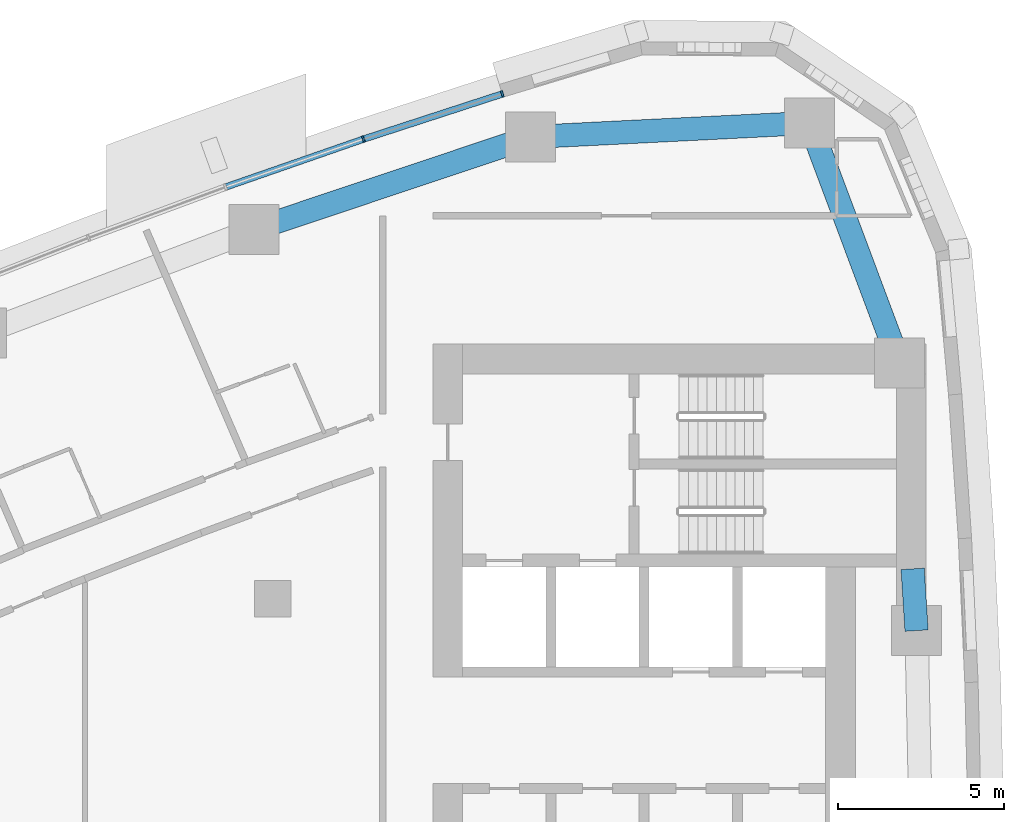
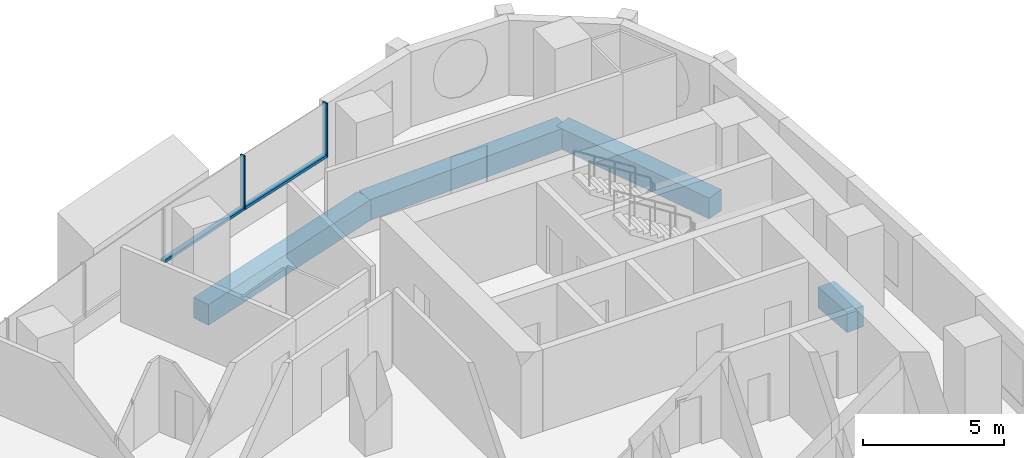
# One storey, part 6 of 17: 4 beams, 4 members, 1 element without a shape of its own.
"""IFC4 building model written with IfcOpenShell, lengths in metres."""

from ifc_helpers import new_model, si_unit, direction, frame, origin, origin_2d, place, context, subcontext, project, spatial, rectangle, extrude, material, layer, layer_set, material_profile, profile_set, type_object, element, aggregate, save


model = new_model("IFC4")

# Units and contexts
model_context = context("Model", 3, precision=1e-05, world=origin(), true_north=direction((0.0, 1.0)))
body_context = subcontext(model_context, "Body", "Model", "MODEL_VIEW")
ifc_project = project(units=[si_unit("LENGTHUNIT", "METRE"), si_unit("AREAUNIT", "SQUARE_METRE"), si_unit("VOLUMEUNIT", "CUBIC_METRE"), si_unit("PLANEANGLEUNIT", "RADIAN"), si_unit("MASSUNIT", "GRAM", prefix="KILO")], contexts=[model_context])

# Site, building, storey
site_placement = place(None, origin())
site = spatial("IfcSite", under=ifc_project, at=site_placement, CompositionType="ELEMENT")
building_placement = place(site_placement, origin())
building = spatial("IfcBuilding", under=site, at=building_placement, Name="Ostrand Prow Hotel Tower", CompositionType="ELEMENT")
storey_placement = place(building_placement, frame((0.0, 0.0, 137.300048828125)))
storey = spatial("IfcBuildingStorey", under=building, at=storey_placement, Name="L33", CompositionType="ELEMENT", Elevation=137.300048828125)

# Beams
ifc_material_1 = material(Name="Concrete C70/85", Category="concrete")
ifc_material_profile_1 = material_profile(ifc_material_1, rectangle(XDim=0.699951171875, YDim=0.89990234375, at=origin_2d()), Name="RC 700x900")
ifc_profile_set_1 = profile_set([ifc_material_profile_1], Name="Concrete C70/85")
beam_type = type_object("IfcBeamType", Name="Edge beam 700x900 C70/85", PredefinedType="SPANDREL", material=ifc_profile_set_1)
beam_1_placement = place(storey_placement, frame((64.32958984375, 8.044677734375, -0.75), z_axis=(-0.063563790544, 0.997977777574, 0.0), x_axis=(-0.997977777574, -0.063563790544, 0.0)))
element("IfcBeam", 1, at=beam_1_placement, inside=storey, type_object=beam_type, Name="Edge beam B4-B5", PredefinedType="SPANDREL", context=body_context, shape_type="SweptSolid", body=[
    extrude(rectangle(XDim=0.699951171875, YDim=0.89990234375, at=origin_2d()), origin(), (0.0, 0.0, 1.0), 1.85888671875),
])
beam_2_placement = place(storey_placement, frame((63.584716796875, 16.699951171875, -0.75), z_axis=(-0.350602524344, 0.93652435629, 0.0), x_axis=(-0.93652435629, -0.350602524344, 0.0)))
element("IfcBeam", 2, at=beam_2_placement, inside=storey, type_object=beam_type, Name="Edge beam B5-NE", PredefinedType="SPANDREL", context=body_context, shape_type="SweptSolid", body=[
    extrude(rectangle(XDim=0.699951171875, YDim=0.89990234375, at=origin_2d()), origin(), (0.0, 0.0, 1.0), 7.037353515625),
])
beam_3_placement = place(storey_placement, frame((61.117431640625, 23.29052734375, -0.75), z_axis=(-0.99873741544, -0.050235196825, 0.0), x_axis=(0.050235196825, -0.99873741544, 0.0)))
element("IfcBeam", 3, at=beam_3_placement, inside=storey, type_object=beam_type, Name="Edge beam NE-N1", PredefinedType="SPANDREL", context=body_context, shape_type="SweptSolid", body=[
    extrude(rectangle(XDim=0.699951171875, YDim=0.89990234375, at=origin_2d()), origin(), (0.0, 0.0, 1.0), 8.38818359375),
])
beam_4_placement = place(storey_placement, frame((52.73974609375, 22.869140625, -0.75), z_axis=(-0.948376051094, -0.317148018616, 0.0), x_axis=(0.317148018616, -0.948376051094, 0.0)))
element("IfcBeam", 4, at=beam_4_placement, inside=storey, type_object=beam_type, Name="Edge beam N1-N2", PredefinedType="SPANDREL", context=body_context, shape_type="SweptSolid", body=[
    extrude(rectangle(XDim=0.699951171875, YDim=0.89990234375, at=origin_2d()), origin(), (0.0, 0.0, 1.0), 8.75341796875),
])

# Curtain wall, members
ifc_material_2 = material(Name="Insulated glass in bronze anodised frame", Category="glass")
ifc_layer = layer(ifc_material_2, 0.199951171875)
ifc_layer_set = layer_set([ifc_layer], Name="Insulated glass in bronze anodised frame")
curtain_wall_type = type_object("IfcCurtainWallType", Name="Strip curtain wall, fritted glass over bronze spandrel", PredefinedType="NOTDEFINED", material=ifc_layer_set)
curtain_wall_placement = place(storey_placement, origin())
curtain_wall = element("IfcCurtainWall", 5, at=curtain_wall_placement, inside=storey, type_object=curtain_wall_type, Name="CW1 run CWN1", PredefinedType="NOTDEFINED")
ifc_material_3 = material(Name="Bronze anodised aluminium", Category="aluminium")
ifc_material_profile_2 = material_profile(ifc_material_3, rectangle(XDim=0.199951171875, YDim=0.06005859375, at=origin_2d()), Name="Mullion 60x200 bronze anodised aluminium")
ifc_profile_set_2 = profile_set([ifc_material_profile_2], Name="Bronze anodised aluminium")
member_type_1 = type_object("IfcMemberType", Name="Mullion 60x200 bronze anodised aluminium", PredefinedType="MULLION", material=ifc_profile_set_2)
member_1_placement = place(storey_placement, frame((51.888916015625, 24.16162109375, 0.89990234375), z_axis=(0.0, 0.0, 1.0), x_axis=(0.309380491373, -0.950938332153, 0.0)))
member_1 = element("IfcMember", 6, at=member_1_placement, type_object=member_type_1, Name="CW1 mullion 1", PredefinedType="MULLION", context=body_context, shape_type="SweptSolid", body=[
    extrude(rectangle(XDim=0.199951171875, YDim=0.06005859375, at=origin_2d()), origin(), (0.0, 0.0, 1.0), 2.35009765625),
])
member_2_placement = place(storey_placement, frame((47.718017578125, 22.8046875, 0.89990234375), z_axis=(0.0, 0.0, 1.0), x_axis=(0.328428177424, -0.944528947293, 0.0)))
member_2 = element("IfcMember", 7, at=member_2_placement, type_object=member_type_1, Name="CW1 mullion 2", PredefinedType="MULLION", context=body_context, shape_type="SweptSolid", body=[
    extrude(rectangle(XDim=0.199951171875, YDim=0.06005859375, at=origin_2d()), origin(), (0.0, 0.0, 1.0), 2.35009765625),
])
ifc_material_4 = material(Name="Bronze anodised aluminium", Category="aluminium")
ifc_material_profile_3 = material_profile(ifc_material_4, rectangle(XDim=0.199951171875, YDim=0.1201171875, at=origin_2d()), Name="Transom 120x200 bronze anodised aluminium")
ifc_profile_set_3 = profile_set([ifc_material_profile_3], Name="Bronze anodised aluminium")
member_type_2 = type_object("IfcMemberType", Name="Transom 120x200 bronze anodised aluminium", PredefinedType="USERDEFINED", material=ifc_profile_set_3)
member_3_placement = place(storey_placement, frame((51.8603515625, 24.15234375, 0.9599609375), z_axis=(-0.950938634958, -0.309379560643, 0.0), x_axis=(0.309379560643, -0.950938634958, 0.0)))
member_3 = element("IfcMember", 8, at=member_3_placement, type_object=member_type_2, Name="CW1 transom 1.1", ObjectType="TRANSOM", PredefinedType="USERDEFINED", context=body_context, shape_type="SweptSolid", body=[
    extrude(rectangle(XDim=0.199951171875, YDim=0.1201171875, at=origin_2d()), origin(), (0.0, 0.0, 1.0), 4.325927734375),
])
member_4_placement = place(storey_placement, frame((47.689697265625, 22.794921875, 0.9599609375), z_axis=(-0.944524201162, -0.328441826538, 0.0), x_axis=(0.328441826538, -0.944524201162, 0.0)))
member_4 = element("IfcMember", 9, at=member_4_placement, type_object=member_type_2, Name="CW1 transom 2.1", ObjectType="TRANSOM", PredefinedType="USERDEFINED", context=body_context, shape_type="SweptSolid", body=[
    extrude(rectangle(XDim=0.199951171875, YDim=0.1201171875, at=origin_2d()), origin(), (0.0, 0.0, 1.0), 4.326171875),
])
aggregate(curtain_wall, [member_1, member_2, member_3, member_4])

save(model, "model.ifc")
